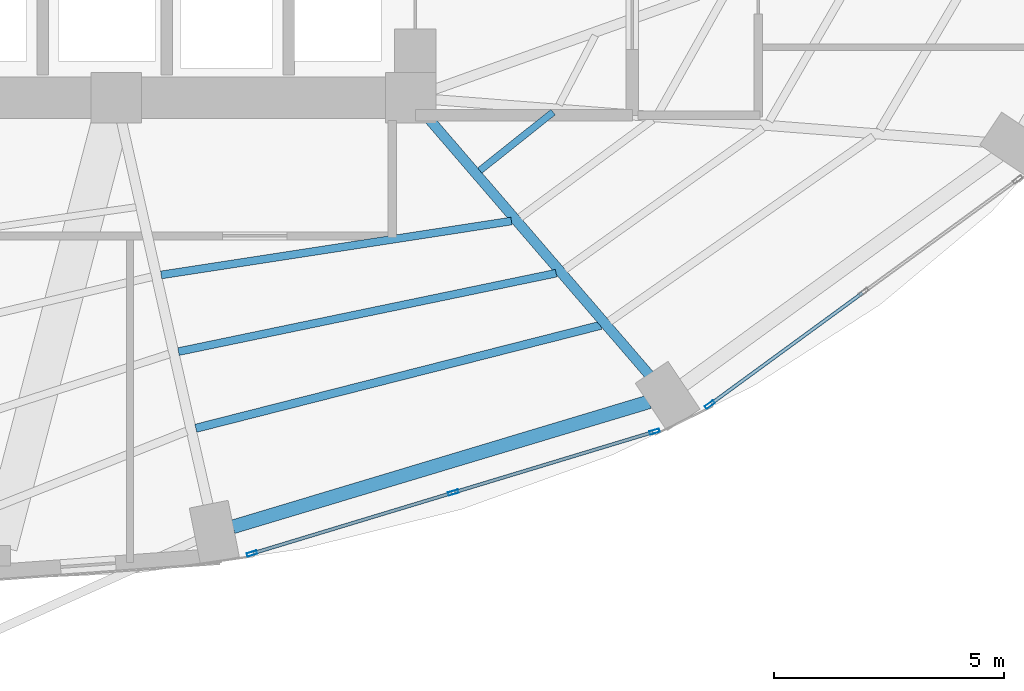
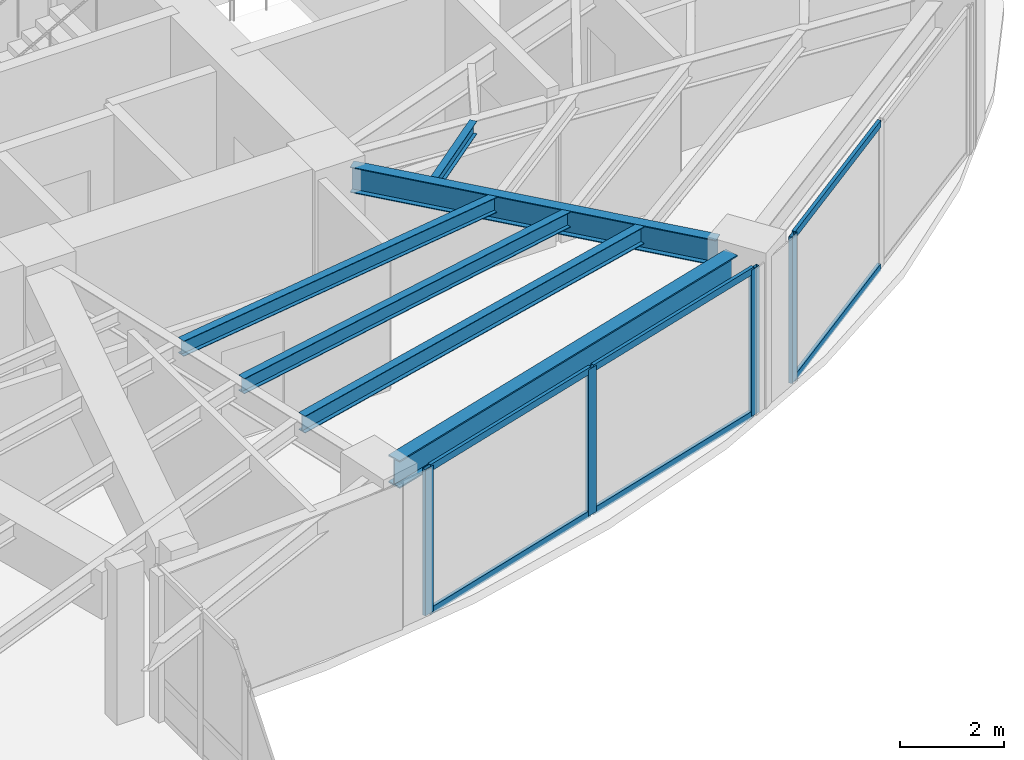
# One storey, part 10 of 25: 10 members, 6 beams, 2 elements without a shape of their own.
"""IFC4 building model written with IfcOpenShell, lengths in metres."""

import ifcopenshell
import ifcopenshell.guid

model = None  # the IFC model being written
_history = None  # IfcOwnerHistory: only IFC2X3 demands one
_inside = {}  # id of a spatial element -> (the spatial element, [elements in it])
_under = {}  # id of a project, library or spatial element -> (it, [spatial elements below it])
_declared = {}  # id of a project -> (the project, [libraries it declares])
_typed = {}  # id of a type object -> (the type object, [elements of that type])
_made_of = {}  # id of a material, layer set ... -> (it, [elements and type objects made of it])


def new_model(schema):
    """Start an empty IFC model of exactly this schema.

    Asked for "IFC4X3", IfcOpenShell would pick the latest addendum, in which some entities
    have other attributes; the version numbers below select the first issue.
    IFC2X3 requires an IfcOwnerHistory on every rooted entity: one is made here for all.
    """
    global model, _history
    if schema == "IFC4X3":
        model = ifcopenshell.file(schema_version=(4, 3, 0, 0))
    else:
        model = ifcopenshell.file(schema=schema)
    _inside.clear()
    _under.clear()
    _declared.clear()
    _typed.clear()
    _made_of.clear()
    _history = None
    if model.schema == "IFC2X3":
        org = make("IfcOrganization", Name="unknown")
        user = make(
            "IfcPersonAndOrganization",
            ThePerson=make("IfcPerson", FamilyName="unknown"),
            TheOrganization=org,
        )
        app = make(
            "IfcApplication",
            ApplicationDeveloper=org,
            Version="unknown",
            ApplicationFullName="unknown",
            ApplicationIdentifier="unknown",
        )
        _history = make(
            "IfcOwnerHistory",
            OwningUser=user,
            OwningApplication=app,
            ChangeAction="ADDED",
            CreationDate=0,
        )
    return model


def make(cls, **values):
    """One entity of the class cls with the attributes given. An attribute that is None is left unset."""
    return model.create_entity(
        cls, **{name: value for name, value in values.items() if value is not None}
    )


def rooted(cls, **values):
    """An entity with a GlobalId (a new one), such as an element, a storey or a relation."""
    return make(cls, GlobalId=ifcopenshell.guid.new(), OwnerHistory=_history, **values)


def si_unit(unit_type, name, prefix=None):
    """IfcSIUnit, for example si_unit("LENGTHUNIT", "METRE", prefix="MILLI")."""
    return make("IfcSIUnit", UnitType=unit_type, Prefix=prefix, Name=name)


def assignment(units):
    """IfcUnitAssignment: the units of a project."""
    return None if units is None else make("IfcUnitAssignment", Units=units)


def point(xyz):
    """IfcCartesianPoint."""
    return None if xyz is None else make("IfcCartesianPoint", Coordinates=xyz)


def direction(xyz):
    """IfcDirection."""
    return None if xyz is None else make("IfcDirection", DirectionRatios=xyz)


def frame(location, z_axis=None, x_axis=None):
    """IfcAxis2Placement3D, a coordinate frame: its origin and axes. An axis left out is left unset."""
    return make(
        "IfcAxis2Placement3D",
        Location=point(location),
        Axis=direction(z_axis),
        RefDirection=direction(x_axis),
    )


def frame_2d(location, x_axis=None):
    """IfcAxis2Placement2D, a coordinate frame in the plane: its origin and x axis."""
    return make(
        "IfcAxis2Placement2D", Location=point(location), RefDirection=direction(x_axis)
    )


def origin():
    """The frame at (0, 0, 0) with its axes left unset."""
    return frame((0.0, 0.0, 0.0))


def origin_2d():
    """The frame at (0, 0) in the plane with its x axis left unset."""
    return frame_2d((0.0, 0.0))


def place(relative_to, where):
    """IfcLocalPlacement: puts the frame where relative to a parent placement (None: the world)."""
    return make(
        "IfcLocalPlacement", PlacementRelTo=relative_to, RelativePlacement=where
    )


def context(
    kind, dimensions, precision=None, world=None, true_north=None, identifier=None
):
    """IfcGeometricRepresentationContext, for example the 3D "Model" context."""
    return make(
        "IfcGeometricRepresentationContext",
        ContextIdentifier=identifier,
        ContextType=kind,
        CoordinateSpaceDimension=dimensions,
        Precision=precision,
        WorldCoordinateSystem=world,
        TrueNorth=true_north,
    )


def subcontext(parent, identifier, kind, view, scale=None):
    """IfcGeometricRepresentationSubContext, for example "Body" below "Model"."""
    return make(
        "IfcGeometricRepresentationSubContext",
        ContextIdentifier=identifier,
        ContextType=kind,
        ParentContext=parent,
        TargetScale=scale,
        TargetView=view,
    )


def project(units=None, contexts=None):
    """IfcProject with its units and contexts."""
    return rooted(
        "IfcProject",
        Name="project",
        RepresentationContexts=contexts,
        UnitsInContext=assignment(units),
    )


def spatial(cls, under=None, at=None, **own):
    """A site, building, storey or space (cls), placed at a placement, below another one or the project."""
    s = rooted(cls, ObjectPlacement=at, **own)
    if under is not None:
        _under.setdefault(under.id(), (under, []))[1].append(s)
    return s


def profile(cls, at=None, kind="AREA", **sizes):
    """A parametric profile (cls). Its sizes go by their IFC names, for example OverallWidth=200.0."""
    return make(cls, ProfileType=kind, Position=at, **sizes)


def hollow_rectangle(**sizes):
    """IfcRectangleHollowProfileDef."""
    return profile("IfcRectangleHollowProfileDef", **sizes)


def i_section(**sizes):
    """IfcIShapeProfileDef."""
    return profile("IfcIShapeProfileDef", **sizes)


def extrude(swept, where, along, depth):
    """IfcExtrudedAreaSolid: the profile swept, set in the frame where, extruded along a direction by depth."""
    return make(
        "IfcExtrudedAreaSolid",
        SweptArea=swept,
        Position=where,
        ExtrudedDirection=direction(along),
        Depth=depth,
    )


def shape(context_of_items, identifier, shape_type, items):
    """IfcShapeRepresentation: the items that make up one representation, for example the "Body"."""
    return make(
        "IfcShapeRepresentation",
        ContextOfItems=context_of_items,
        RepresentationIdentifier=identifier,
        RepresentationType=shape_type,
        Items=items,
    )


def material(Name=None, Category=None):
    """IfcMaterial."""
    return make("IfcMaterial", Name=Name, Category=Category)


def layer(
    of_material, thickness, ventilated=None, Name=None, Category=None, Priority=None
):
    """IfcMaterialLayer: one layer of a wall or slab, of a material (None: an air gap)."""
    return make(
        "IfcMaterialLayer",
        Material=of_material,
        LayerThickness=thickness,
        IsVentilated=ventilated,
        Name=Name,
        Category=Category,
        Priority=Priority,
    )


def layer_set(layers, Name=None):
    """IfcMaterialLayerSet."""
    return make("IfcMaterialLayerSet", MaterialLayers=layers, LayerSetName=Name)


def material_profile(
    of_material, cross_section, Name=None, Category=None, Priority=None
):
    """IfcMaterialProfile: a cross section and its material."""
    return make(
        "IfcMaterialProfile",
        Name=Name,
        Material=of_material,
        Profile=cross_section,
        Priority=Priority,
        Category=Category,
    )


def profile_set(profiles, Name=None, composite=None):
    """IfcMaterialProfileSet."""
    return make(
        "IfcMaterialProfileSet",
        Name=Name,
        MaterialProfiles=profiles,
        CompositeProfile=composite,
    )


def made_of(thing, what):
    """Note that an element or type object is made of a material, layer set ...; save() writes the relation."""
    if what is not None:
        _made_of.setdefault(what.id(), (what, []))[1].append(thing)
    return thing


def type_object(cls, material=None, **own):
    """A type object (cls), such as IfcWallType, which elements share."""
    return made_of(rooted(cls, **own), material)


def element(
    cls,
    number,
    at=None,
    inside=None,
    cuts=None,
    type_object=None,
    material=None,
    context=None,
    identifier="Body",
    shape_type=None,
    held_by="IfcProductDefinitionShape",
    body=None,
    shapes=None,
    **own,
):
    """One element of the class cls, such as IfcWall. Its Tag is "e" and its number.

    at: its placement. inside: the storey or other place that contains it. cuts: it is an
    opening in that element (IfcRelVoidsElement). A single representation is given by context,
    identifier, shape_type and body (its items); several are given by shapes. held_by: the class
    of the entity that holds the representations. save() writes the other relations.
    """
    e = rooted(cls, Tag="e%d" % number, ObjectPlacement=at, **own)
    if body is not None:
        shapes = [shape(context, identifier, shape_type, body)]
    if shapes is not None:
        e.Representation = make(held_by, Representations=shapes)
    if inside is not None:
        _inside.setdefault(inside.id(), (inside, []))[1].append(e)
    if cuts is not None:
        rooted(
            "IfcRelVoidsElement", RelatingBuildingElement=cuts, RelatedOpeningElement=e
        )
    if type_object is not None:
        _typed.setdefault(type_object.id(), (type_object, []))[1].append(e)
    return made_of(e, material)


def aggregate(whole, parts):
    """IfcRelAggregates: a whole, such as a stair, and the parts it consists of."""
    return rooted("IfcRelAggregates", RelatingObject=whole, RelatedObjects=parts)


def save(model, path):
    """Write the relations noted so far, then the file.

    IfcRelAggregates (storeys below a building ...), IfcRelContainedInSpatialStructure (elements
    in a storey), IfcRelDefinesByType, IfcRelAssociatesMaterial and IfcRelDeclares: one each for
    every whole, place, type object, material and project.
    """
    for whole, parts in _under.values():
        aggregate(whole, parts)
    for where, things in _inside.values():
        rooted(
            "IfcRelContainedInSpatialStructure",
            RelatedElements=things,
            RelatingStructure=where,
        )
    for kind, things in _typed.values():
        rooted("IfcRelDefinesByType", RelatedObjects=things, RelatingType=kind)
    for what, things in _made_of.values():
        rooted("IfcRelAssociatesMaterial", RelatedObjects=things, RelatingMaterial=what)
    for by, libraries in _declared.values():
        rooted("IfcRelDeclares", RelatingContext=by, RelatedDefinitions=libraries)
    model.write(path)


model = new_model("IFC4")

# Units and contexts
model_context = context("Model", 3, precision=1e-05, world=origin(), true_north=direction((0.0, 1.0)))
body_context = subcontext(model_context, "Body", "Model", "MODEL_VIEW")
ifc_project = project(units=[si_unit("LENGTHUNIT", "METRE"), si_unit("AREAUNIT", "SQUARE_METRE"), si_unit("VOLUMEUNIT", "CUBIC_METRE"), si_unit("PLANEANGLEUNIT", "RADIAN"), si_unit("MASSUNIT", "GRAM", prefix="KILO")], contexts=[model_context])

# Site, building, storey
site_placement = place(None, origin())
site = spatial("IfcSite", under=ifc_project, at=site_placement, CompositionType="ELEMENT")
building_placement = place(site_placement, origin())
building = spatial("IfcBuilding", under=site, at=building_placement, Name="Lazwardi Medical Tower", CompositionType="ELEMENT")
storey_placement = place(building_placement, frame((0.0, 0.0, 50.736083984375)))
storey = spatial("IfcBuildingStorey", under=building, at=storey_placement, Name="L12", CompositionType="ELEMENT", Elevation=50.736083984375)

# Beams
ifc_material_1 = material(Name="Steel S355", Category="steel")
ifc_material_profile_1 = material_profile(ifc_material_1, i_section(OverallWidth=0.300048828125, OverallDepth=0.64990234375, WebThickness=0.01611328125, FlangeThickness=0.031005859375, at=origin_2d()), Name="HEB 650")
ifc_profile_set_1 = profile_set([ifc_material_profile_1], Name="Steel S355")
beam_type_1 = type_object("IfcBeamType", Name="BM-RB-Z1", PredefinedType="BEAM", material=ifc_profile_set_1)
beam_1_placement = place(storey_placement, frame((41.73291015625, 11.076904296875, 3.10302734375), z_axis=(0.957695289269, 0.287784177662, 0.0), x_axis=(-0.287784177662, 0.957695289269, 0.0)))
element("IfcBeam", 1, at=beam_1_placement, inside=storey, type_object=beam_type_1, Name="Ring beam RB-02 B01 L12", PredefinedType="BEAM", context=body_context, shape_type="SweptSolid", body=[
    extrude(i_section(OverallWidth=0.300048828125, OverallDepth=0.64990234375, WebThickness=0.01611328125, FlangeThickness=0.031005859375, at=origin_2d()), origin(), (0.0, 0.0, 1.0), 9.445556640625),
])
ifc_material_profile_2 = material_profile(ifc_material_1, i_section(OverallWidth=0.219970703125, OverallDepth=0.60009765625, WebThickness=0.011962890625, FlangeThickness=0.01904296875, at=origin_2d()), Name="IPE 600")
ifc_profile_set_2 = profile_set([ifc_material_profile_2], Name="Steel S355")
beam_type_2 = type_object("IfcBeamType", Name="BM-RG-W1", PredefinedType="BEAM", material=ifc_profile_set_2)
beam_2_placement = place(storey_placement, frame((50.802490234375, 14.355712890625, 3.1279296875), z_axis=(-0.652368190463, 0.757902199543, 0.0), x_axis=(-0.757902199543, -0.652368190463, 0.0)))
element("IfcBeam", 2, at=beam_2_placement, inside=storey, type_object=beam_type_2, Name="Radial girder RG-02 R02 L12", PredefinedType="BEAM", context=body_context, shape_type="SweptSolid", body=[
    extrude(i_section(OverallWidth=0.219970703125, OverallDepth=0.60009765625, WebThickness=0.011962890625, FlangeThickness=0.01904296875, at=origin_2d()), origin(), (0.0, 0.0, 1.0), 7.43994140625),
])
ifc_material_profile_3 = material_profile(ifc_material_1, i_section(OverallWidth=0.179931640625, OverallDepth=0.39990234375, WebThickness=0.008544921875, FlangeThickness=0.013427734375, at=origin_2d()), Name="IPE 400")
ifc_profile_set_3 = profile_set([ifc_material_profile_3], Name="Steel S355")
beam_type_3 = type_object("IfcBeamType", Name="BM-SJ-01", PredefinedType="JOIST", material=ifc_profile_set_3)
beam_3_placement = place(storey_placement, frame((40.927734375, 13.218994140625, 3.22802734375), z_axis=(0.969151012048, 0.246467677081, 0.0), x_axis=(-0.246467677081, 0.969151012048, 0.0)))
element("IfcBeam", 3, at=beam_3_placement, inside=storey, type_object=beam_type_3, Name="Secondary joist SJ-01 R1 B01 L12", PredefinedType="JOIST", context=body_context, shape_type="SweptSolid", body=[
    extrude(i_section(OverallWidth=0.179931640625, OverallDepth=0.39990234375, WebThickness=0.008544921875, FlangeThickness=0.013427734375, at=origin_2d()), origin(), (0.0, 0.0, 1.0), 9.08251953125),
])
ifc_material_profile_4 = material_profile(ifc_material_1, i_section(OverallWidth=0.169921875, OverallDepth=0.360107421875, WebThickness=0.008056640625, FlangeThickness=0.0126953125, at=origin_2d()), Name="IPE 360")
ifc_profile_set_4 = profile_set([ifc_material_profile_4], Name="Steel S355")
beam_type_4 = type_object("IfcBeamType", Name="BM-SJ-02", PredefinedType="JOIST", material=ifc_profile_set_4)
beam_4_placement = place(storey_placement, frame((40.5517578125, 14.885498046875, 3.247802734375), z_axis=(0.979107693723, 0.203342381445, 0.0), x_axis=(-0.203342381445, 0.979107693723, 0.0)))
element("IfcBeam", 4, at=beam_4_placement, inside=storey, type_object=beam_type_4, Name="Secondary joist SJ-02 R2 B01 L12", PredefinedType="JOIST", context=body_context, shape_type="SweptSolid", body=[
    extrude(i_section(OverallWidth=0.169921875, OverallDepth=0.360107421875, WebThickness=0.008056640625, FlangeThickness=0.0126953125, at=origin_2d()), origin(), (0.0, 0.0, 1.0), 8.381591796875),
])
beam_5_placement = place(storey_placement, frame((40.175537109375, 16.551513671875, 3.247802734375), z_axis=(0.988362899594, 0.152114360618, 0.0), x_axis=(-0.152114360618, 0.988362899594, 0.0)))
element("IfcBeam", 5, at=beam_5_placement, inside=storey, type_object=beam_type_4, Name="Secondary joist SJ-02 R3 B01 L12", PredefinedType="JOIST", context=body_context, shape_type="SweptSolid", body=[
    extrude(i_section(OverallWidth=0.169921875, OverallDepth=0.360107421875, WebThickness=0.008056640625, FlangeThickness=0.0126953125, at=origin_2d()), origin(), (0.0, 0.0, 1.0), 7.70068359375),
])
ifc_material_profile_5 = material_profile(ifc_material_1, i_section(OverallWidth=0.14990234375, OverallDepth=0.300048828125, WebThickness=0.007080078125, FlangeThickness=0.0107421875, at=origin_2d()), Name="IPE 300")
ifc_profile_set_5 = profile_set([ifc_material_profile_5], Name="Steel S355")
beam_type_5 = type_object("IfcBeamType", Name="BM-SJ-03", PredefinedType="JOIST", material=ifc_profile_set_5)
beam_6_placement = place(storey_placement, frame((47.098876953125, 18.8193359375, 3.27783203125), z_axis=(0.782210957226, 0.623013658274, 0.0), x_axis=(-0.623013658274, 0.782210957226, 0.0)))
element("IfcBeam", 6, at=beam_6_placement, inside=storey, type_object=beam_type_5, Name="Secondary joist SJ-03 R4 B02 L12", PredefinedType="JOIST", context=body_context, shape_type="SweptSolid", body=[
    extrude(i_section(OverallWidth=0.14990234375, OverallDepth=0.300048828125, WebThickness=0.007080078125, FlangeThickness=0.0107421875, at=origin_2d()), origin(), (0.0, 0.0, 1.0), 2.0380859375),
])

# Curtain wall, members
ifc_material_2 = material(Name="Anodised bronze aluminium and solar control glazing", Category="aluminium")
ifc_layer = layer(ifc_material_2, 0.199951171875)
ifc_layer_set = layer_set([ifc_layer], Name="Anodised bronze aluminium and solar control glazing")
curtain_wall_type = type_object("IfcCurtainWallType", Name="CW-SYS-02", PredefinedType="NOTDEFINED", material=ifc_layer_set)
curtain_wall_1_placement = place(storey_placement, origin())
curtain_wall_1 = element("IfcCurtainWall", 7, at=curtain_wall_1_placement, inside=storey, type_object=curtain_wall_type, Name="L12 Unitised bronze curtain wall CW-02", PredefinedType="NOTDEFINED")
ifc_material_3 = material(Name="Anodised bronze aluminium", Category="aluminium")
ifc_material_profile_6 = material_profile(ifc_material_3, hollow_rectangle(XDim=0.074951171875, YDim=0.219970703125, WallThickness=0.00390625, at=origin_2d()), Name="ALU-MULLION 220x75x4")
ifc_profile_set_6 = profile_set([ifc_material_profile_6], Name="Anodised bronze aluminium")
member_type_1 = type_object("IfcMemberType", Name="CW-MUL-01", PredefinedType="MULLION", material=ifc_profile_set_6)
member_1_placement = place(storey_placement, frame((42.14794921875, 10.496337890625, 0.0), z_axis=(0.0, 0.0, 1.0), x_axis=(-0.2898956909, 0.957058247129, 0.0)))
member_1 = element("IfcMember", 8, at=member_1_placement, type_object=member_type_1, Name="CW-02 mullion 1", PredefinedType="MULLION", context=body_context, shape_type="SweptSolid", body=[
    extrude(hollow_rectangle(XDim=0.074951171875, YDim=0.219970703125, WallThickness=0.00390625, at=origin_2d()), origin(), (0.0, 0.0, 1.0), 3.427978515625),
])
member_2_placement = place(storey_placement, frame((46.523193359375, 11.821533203125, 0.0), z_axis=(0.0, 0.0, 1.0), x_axis=(-0.2898956909, 0.957058247129, 0.0)))
member_2 = element("IfcMember", 9, at=member_2_placement, type_object=member_type_1, Name="CW-02 mullion 2", PredefinedType="MULLION", context=body_context, shape_type="SweptSolid", body=[
    extrude(hollow_rectangle(XDim=0.074951171875, YDim=0.219970703125, WallThickness=0.00390625, at=origin_2d()), origin(), (0.0, 0.0, 1.0), 3.427978515625),
])
member_3_placement = place(storey_placement, frame((50.8984375, 13.146728515625, 0.0), z_axis=(0.0, 0.0, 1.0), x_axis=(-0.2898956909, 0.957058247129, 0.0)))
member_3 = element("IfcMember", 10, at=member_3_placement, type_object=member_type_1, Name="CW-02 mullion 3", PredefinedType="MULLION", context=body_context, shape_type="SweptSolid", body=[
    extrude(hollow_rectangle(XDim=0.074951171875, YDim=0.219970703125, WallThickness=0.00390625, at=origin_2d()), origin(), (0.0, 0.0, 1.0), 3.427978515625),
])

# Curtain wall, member
curtain_wall_2_placement = place(storey_placement, origin())
curtain_wall_2 = element("IfcCurtainWall", 11, at=curtain_wall_2_placement, inside=storey, type_object=curtain_wall_type, Name="L12 Unitised bronze curtain wall CW-02", PredefinedType="NOTDEFINED")
member_4_placement = place(storey_placement, frame((52.0986328125, 13.73388671875, 0.0), z_axis=(0.0, 0.0, 1.0), x_axis=(-0.590289307341, 0.807191757663, 0.0)))
member_4 = element("IfcMember", 12, at=member_4_placement, type_object=member_type_1, Name="CW-02 mullion 1", PredefinedType="MULLION", context=body_context, shape_type="SweptSolid", body=[
    extrude(hollow_rectangle(XDim=0.074951171875, YDim=0.219970703125, WallThickness=0.00390625, at=origin_2d()), origin(), (0.0, 0.0, 1.0), 3.427978515625),
])

# Member
ifc_material_profile_7 = material_profile(ifc_material_3, hollow_rectangle(XDim=0.074951171875, YDim=0.159912109375, WallThickness=0.00390625, at=origin_2d()), Name="ALU-TRANSOM 160x75x4")
ifc_profile_set_7 = profile_set([ifc_material_profile_7], Name="Anodised bronze aluminium")
member_type_2 = type_object("IfcMemberType", Name="CW-TRN-01", PredefinedType="USERDEFINED", material=ifc_profile_set_7)
member_5_placement = place(storey_placement, frame((42.183837890625, 10.507080078125, 0.037353515625), z_axis=(0.957047233423, 0.28993204893, 0.0), x_axis=(-0.28993204893, 0.957047233423, 0.0)))
member_5 = element("IfcMember", 13, at=member_5_placement, type_object=member_type_2, Name="CW-02 transom 1.1", ObjectType="TRANSOM", PredefinedType="USERDEFINED", context=body_context, shape_type="SweptSolid", body=[
    extrude(hollow_rectangle(XDim=0.074951171875, YDim=0.159912109375, WallThickness=0.00390625, at=origin_2d()), origin(), (0.0, 0.0, 1.0), 4.49658203125),
])

member_6_placement = place(storey_placement, frame((42.183837890625, 10.507080078125, 3.390380859375), z_axis=(0.957047233423, 0.28993204893, 0.0), x_axis=(-0.28993204893, 0.957047233423, 0.0)))
member_6 = element("IfcMember", 14, at=member_6_placement, type_object=member_type_2, Name="CW-02 transom 1.2", ObjectType="TRANSOM", PredefinedType="USERDEFINED", context=body_context, shape_type="SweptSolid", body=[
    extrude(hollow_rectangle(XDim=0.074951171875, YDim=0.159912109375, WallThickness=0.00390625, at=origin_2d()), origin(), (0.0, 0.0, 1.0), 4.49658203125),
])

member_7_placement = place(storey_placement, frame((46.55908203125, 11.83251953125, 0.037353515625), z_axis=(0.957062297904, 0.289882317383, 0.0), x_axis=(-0.289882317383, 0.957062297904, 0.0)))
member_7 = element("IfcMember", 15, at=member_7_placement, type_object=member_type_2, Name="CW-02 transom 2.1", ObjectType="TRANSOM", PredefinedType="USERDEFINED", context=body_context, shape_type="SweptSolid", body=[
    extrude(hollow_rectangle(XDim=0.074951171875, YDim=0.159912109375, WallThickness=0.00390625, at=origin_2d()), origin(), (0.0, 0.0, 1.0), 4.49658203125),
])

member_8_placement = place(storey_placement, frame((46.55908203125, 11.83251953125, 3.390380859375), z_axis=(0.957062297904, 0.289882317383, 0.0), x_axis=(-0.289882317383, 0.957062297904, 0.0)))
member_8 = element("IfcMember", 16, at=member_8_placement, type_object=member_type_2, Name="CW-02 transom 2.2", ObjectType="TRANSOM", PredefinedType="USERDEFINED", context=body_context, shape_type="SweptSolid", body=[
    extrude(hollow_rectangle(XDim=0.074951171875, YDim=0.159912109375, WallThickness=0.00390625, at=origin_2d()), origin(), (0.0, 0.0, 1.0), 4.49658203125),
])

aggregate(curtain_wall_1, [member_1, member_2, member_3, member_5, member_6, member_7, member_8])

member_9_placement = place(storey_placement, frame((52.12890625, 13.756103515625, 0.037353515625), z_axis=(0.807197636578, 0.590281268128, 0.0), x_axis=(-0.590281268128, 0.807197636578, 0.0)))
member_9 = element("IfcMember", 17, at=member_9_placement, type_object=member_type_2, Name="CW-02 transom 1.1", ObjectType="TRANSOM", PredefinedType="USERDEFINED", context=body_context, shape_type="SweptSolid", body=[
    extrude(hollow_rectangle(XDim=0.074951171875, YDim=0.159912109375, WallThickness=0.00390625, at=origin_2d()), origin(), (0.0, 0.0, 1.0), 4.06982421875),
])

member_10_placement = place(storey_placement, frame((52.12890625, 13.756103515625, 3.390380859375), z_axis=(0.807197636578, 0.590281268128, 0.0), x_axis=(-0.590281268128, 0.807197636578, 0.0)))
member_10 = element("IfcMember", 18, at=member_10_placement, type_object=member_type_2, Name="CW-02 transom 1.2", ObjectType="TRANSOM", PredefinedType="USERDEFINED", context=body_context, shape_type="SweptSolid", body=[
    extrude(hollow_rectangle(XDim=0.074951171875, YDim=0.159912109375, WallThickness=0.00390625, at=origin_2d()), origin(), (0.0, 0.0, 1.0), 4.06982421875),
])

aggregate(curtain_wall_2, [member_4, member_9, member_10])

save(model, "model.ifc")
